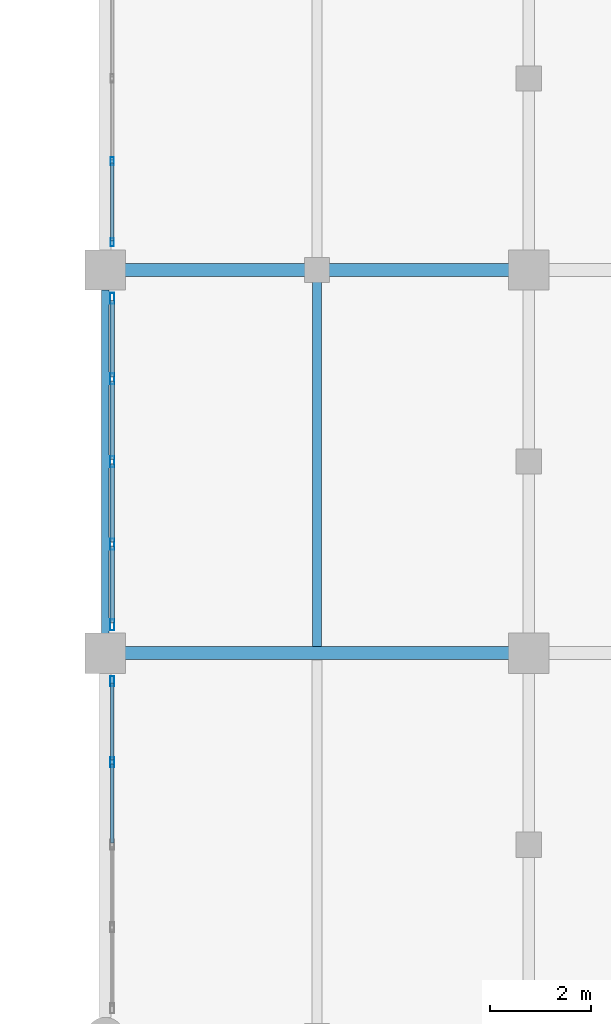
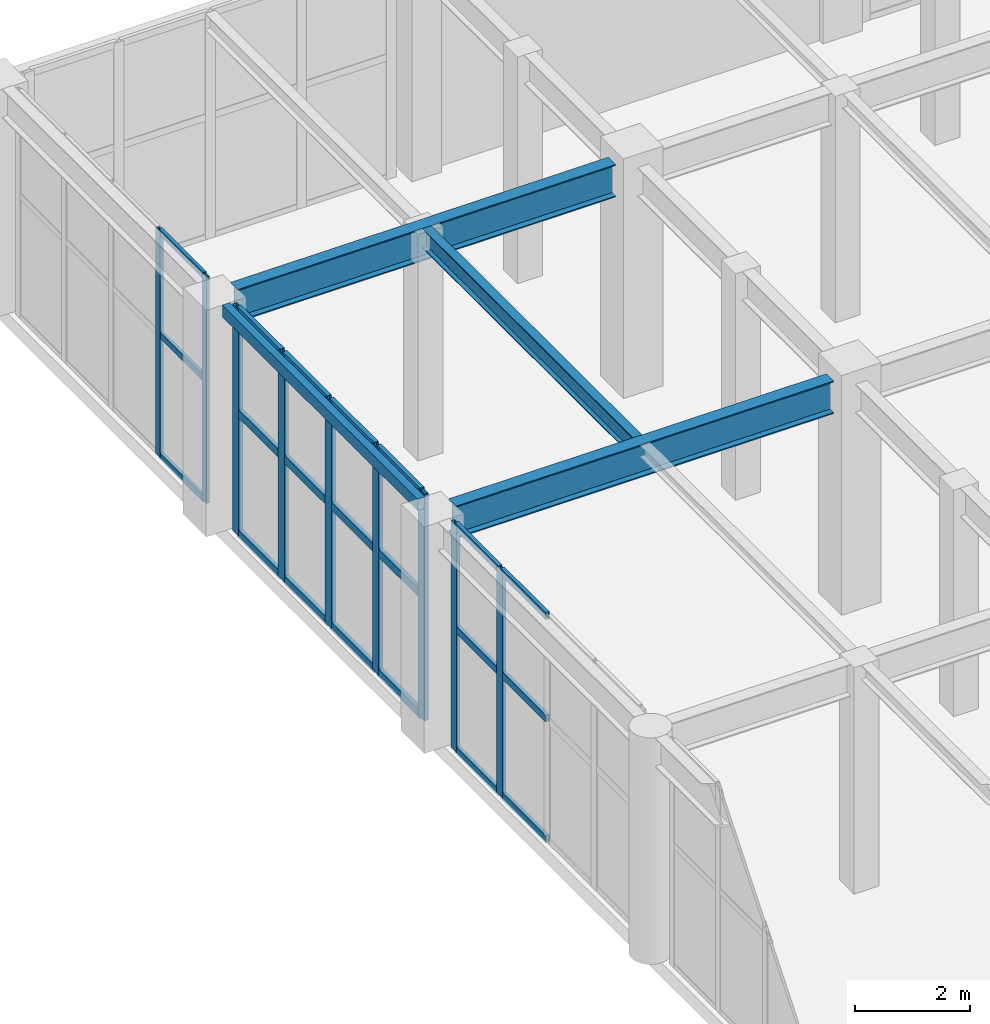
# One storey, part 58 of 128: 30 members, 4 beams, 3 elements without a shape of their own.
"""IFC4 building model written with IfcOpenShell, lengths in metres."""

from ifc_helpers import new_model, si_unit, direction, frame, origin, origin_2d, place, context, subcontext, project, spatial, hollow_rectangle, i_section, extrude, material, layer, layer_set, material_profile, profile_set, type_object, element, aggregate, save


model = new_model("IFC4")

# Units and contexts
model_context = context("Model", 3, precision=1e-05, world=origin(), true_north=direction((0.0, 1.0)))
body_context = subcontext(model_context, "Body", "Model", "MODEL_VIEW")
ifc_project = project(units=[si_unit("LENGTHUNIT", "METRE"), si_unit("AREAUNIT", "SQUARE_METRE"), si_unit("VOLUMEUNIT", "CUBIC_METRE"), si_unit("PLANEANGLEUNIT", "RADIAN"), si_unit("MASSUNIT", "GRAM", prefix="KILO")], contexts=[model_context])

# Site, building, storey
site_placement = place(None, origin())
site = spatial("IfcSite", under=ifc_project, at=site_placement, CompositionType="ELEMENT")
building_placement = place(site_placement, origin())
building = spatial("IfcBuilding", under=site, at=building_placement, Name="Xicomal Pleat Aquarium", CompositionType="ELEMENT")
storey_placement = place(building_placement, frame((0.0, 0.0, 5.39990234375)))
storey = spatial("IfcBuildingStorey", under=building, at=storey_placement, Name="L02", CompositionType="ELEMENT", Elevation=5.39990234375)

# Beams
ifc_material_1 = material(Name="Structural steel A992 Gr 50", Category="steel")
ifc_material_profile_1 = material_profile(ifc_material_1, i_section(OverallWidth=0.180908203125, OverallDepth=0.4169921875, WebThickness=0.010986328125, FlangeThickness=0.018310546875, at=origin_2d()), Name="IR 410x85")
ifc_profile_set_1 = profile_set([ifc_material_profile_1], Name="Structural steel A992 Gr 50")
beam_type_1 = type_object("IfcBeamType", Name="BM-STL-IR410", PredefinedType="JOIST", material=ifc_profile_set_1)
beam_1_placement = place(storey_placement, frame((48.0, 68.531005859375, 4.611572265625), z_axis=(0.0, 1.0, 0.0), x_axis=(-1.0, 0.0, 0.0)))
element("IfcBeam", 1, at=beam_1_placement, inside=storey, type_object=beam_type_1, Name="L02 framing beam FBJ-L02-06-K-1", PredefinedType="JOIST", context=body_context, shape_type="SweptSolid", body=[
    extrude(i_section(OverallWidth=0.180908203125, OverallDepth=0.4169921875, WebThickness=0.010986328125, FlangeThickness=0.018310546875, at=origin_2d()), origin(), (0.0, 0.0, 1.0), 7.337890625),
])
ifc_material_2 = material(Name="Structural steel A992 Gr 50", Category="steel")
ifc_material_profile_2 = material_profile(ifc_material_2, i_section(OverallWidth=0.256103515625, OverallDepth=0.693115234375, WebThickness=0.014404296875, FlangeThickness=0.023681640625, at=origin_2d()), Name="IR 690x170")
ifc_profile_set_2 = profile_set([ifc_material_profile_2], Name="Structural steel A992 Gr 50")
beam_type_2 = type_object("IfcBeamType", Name="BM-STL-IR690", PredefinedType="BEAM", material=ifc_profile_set_2)
for number, where, z_axis, x_axis, name in (
    (2, (44.195068359375, 68.39990234375, 4.4736328125), (1.0, 0.0, 0.0), (0.0, 1.0, 0.0), "L02 framing beam FGX-L02-06-07-K"),
    (3, (44.195068359375, 76.0, 4.4736328125), (1.0, 0.0, 0.0), (0.0, 1.0, 0.0), "L02 framing beam FGX-L02-06-07-L"),
):
    element("IfcBeam", number, at=place(storey_placement, frame(where, z_axis=z_axis, x_axis=x_axis)), inside=storey, type_object=beam_type_2, Name=name, PredefinedType="BEAM", context=body_context, shape_type="SweptSolid", body=[
        extrude(i_section(OverallWidth=0.256103515625, OverallDepth=0.693115234375, WebThickness=0.014404296875, FlangeThickness=0.023681640625, at=origin_2d()), origin(), (0.0, 0.0, 1.0), 7.60986328125),
    ])
ifc_material_3 = material(Name="Structural steel A500 Gr C", Category="steel")
ifc_material_profile_3 = material_profile(ifc_material_3, hollow_rectangle(XDim=0.14990234375, YDim=0.25, WallThickness=0.010009765625, at=origin_2d()), Name="OR 250x150x10")
ifc_profile_set_3 = profile_set([ifc_material_profile_3], Name="Structural steel A500 Gr C")
beam_type_3 = type_object("IfcBeamType", Name="BM-STL-OR250", PredefinedType="SPANDREL", material=ifc_profile_set_3)
beam_2_placement = place(storey_placement, frame((43.800048828125, 68.794921875, 4.695068359375), z_axis=(0.0, 1.0, 0.0), x_axis=(-1.0, 0.0, 0.0)))
element("IfcBeam", 4, at=beam_2_placement, inside=storey, type_object=beam_type_3, Name="L02 framing beam FGY-L02-06-K-L", PredefinedType="SPANDREL", context=body_context, shape_type="SweptSolid", body=[
    extrude(hollow_rectangle(XDim=0.14990234375, YDim=0.25, WallThickness=0.010009765625, at=origin_2d()), origin(), (0.0, 0.0, 1.0), 6.81005859375),
])

# Curtain wall, members
ifc_material_4 = material(Name="Bronze anodized aluminium 6063-T6", Category="aluminium")
ifc_layer_1 = layer(ifc_material_4, 0.159912109375)
ifc_layer_set_1 = layer_set([ifc_layer_1], Name="Bronze anodized aluminium 6063-T6")
curtain_wall_type_1 = type_object("IfcCurtainWallType", Name="CW-SYS-02", PredefinedType="NOTDEFINED", material=ifc_layer_set_1)
curtain_wall_1_placement = place(storey_placement, origin())
curtain_wall_1 = element("IfcCurtainWall", 5, at=curtain_wall_1_placement, inside=storey, type_object=curtain_wall_type_1, Name="L02 unitised curtain wall CW-L02-102", PredefinedType="NOTDEFINED")
ifc_material_5 = material(Name="Bronze anodized aluminium 6063-T6", Category="aluminium")
ifc_material_profile_4 = material_profile(ifc_material_5, hollow_rectangle(XDim=0.06494140625, YDim=0.159912109375, WallThickness=0.00390625, at=origin_2d()), Name="ALU MULL 65x160")
ifc_profile_set_4 = profile_set([ifc_material_profile_4], Name="Bronze anodized aluminium 6063-T6")
member_type_1 = type_object("IfcMemberType", Name="CWM-65x160", PredefinedType="MULLION", material=ifc_profile_set_4)
member_1_placement = place(storey_placement, frame((43.93994140625, 76.552490234375, 0.0), z_axis=(0.0, 0.0, 1.0), x_axis=(-1.0, 0.0, 0.0)))
member_1 = element("IfcMember", 6, at=member_1_placement, type_object=member_type_1, Name="CW-02 mullion 1", PredefinedType="MULLION", context=body_context, shape_type="SweptSolid", body=[
    extrude(hollow_rectangle(XDim=0.06494140625, YDim=0.159912109375, WallThickness=0.00390625, at=origin_2d()), origin(), (0.0, 0.0, 1.0), 4.820068359375),
])
member_2_placement = place(storey_placement, frame((43.93994140625, 78.159912109375, 0.0), z_axis=(0.0, 0.0, 1.0), x_axis=(-1.0, 0.0, 0.0)))
member_2 = element("IfcMember", 7, at=member_2_placement, type_object=member_type_1, Name="CW-02 mullion 2", PredefinedType="MULLION", context=body_context, shape_type="SweptSolid", body=[
    extrude(hollow_rectangle(XDim=0.06494140625, YDim=0.159912109375, WallThickness=0.00390625, at=origin_2d()), origin(), (0.0, 0.0, 1.0), 4.820068359375),
])

ifc_material_6 = material(Name="Bronze anodized aluminium 6063-T6", Category="aluminium")
ifc_layer_2 = layer(ifc_material_6, 0.159912109375)
ifc_layer_set_2 = layer_set([ifc_layer_2], Name="Bronze anodized aluminium 6063-T6")
curtain_wall_type_2 = type_object("IfcCurtainWallType", Name="CW-SYS-07", PredefinedType="NOTDEFINED", material=ifc_layer_set_2)
curtain_wall_2_placement = place(storey_placement, origin())
curtain_wall_2 = element("IfcCurtainWall", 8, at=curtain_wall_2_placement, inside=storey, type_object=curtain_wall_type_2, Name="L02 unitised curtain wall CW-L02-100", PredefinedType="NOTDEFINED")
ifc_material_7 = material(Name="Bronze anodized aluminium 6063-T6", Category="aluminium")
ifc_material_profile_5 = material_profile(ifc_material_7, hollow_rectangle(XDim=0.074951171875, YDim=0.199951171875, WallThickness=0.00439453125, at=origin_2d()), Name="ALU MULL 75x200")
ifc_profile_set_5 = profile_set([ifc_material_profile_5], Name="Bronze anodized aluminium 6063-T6")
member_type_2 = type_object("IfcMemberType", Name="CWM-75x200", PredefinedType="MULLION", material=ifc_profile_set_5)
member_3_placement = place(storey_placement, frame((43.93994140625, 66.239990234375, 0.0), z_axis=(0.0, 0.0, 1.0), x_axis=(-1.0, 0.0, 0.0)))
member_3 = element("IfcMember", 9, at=member_3_placement, type_object=member_type_2, Name="CW-07 mullion 4", PredefinedType="MULLION", context=body_context, shape_type="SweptSolid", body=[
    extrude(hollow_rectangle(XDim=0.074951171875, YDim=0.199951171875, WallThickness=0.00439453125, at=origin_2d()), origin(), (0.0, 0.0, 1.0), 4.820068359375),
])
member_4_placement = place(storey_placement, frame((43.93994140625, 67.842529296875, 0.0), z_axis=(0.0, 0.0, 1.0), x_axis=(-1.0, 0.0, 0.0)))
member_4 = element("IfcMember", 10, at=member_4_placement, type_object=member_type_2, Name="CW-07 mullion 5", PredefinedType="MULLION", context=body_context, shape_type="SweptSolid", body=[
    extrude(hollow_rectangle(XDim=0.074951171875, YDim=0.199951171875, WallThickness=0.00439453125, at=origin_2d()), origin(), (0.0, 0.0, 1.0), 4.820068359375),
])

ifc_material_8 = material(Name="Bronze anodized aluminium 6063-T6", Category="aluminium")
ifc_layer_3 = layer(ifc_material_8, 0.159912109375)
ifc_layer_set_3 = layer_set([ifc_layer_3], Name="Bronze anodized aluminium 6063-T6")
curtain_wall_type_3 = type_object("IfcCurtainWallType", Name="CW-SYS-12", PredefinedType="NOTDEFINED", material=ifc_layer_set_3)
curtain_wall_3_placement = place(storey_placement, origin())
curtain_wall_3 = element("IfcCurtainWall", 11, at=curtain_wall_3_placement, inside=storey, type_object=curtain_wall_type_3, Name="L02 unitised curtain wall CW-L02-101", PredefinedType="NOTDEFINED")
ifc_material_9 = material(Name="Bronze anodized aluminium 6063-T6", Category="aluminium")
ifc_material_profile_6 = material_profile(ifc_material_9, hollow_rectangle(XDim=0.0849609375, YDim=0.219970703125, WallThickness=0.0048828125, at=origin_2d()), Name="ALU MULL 85x220")
ifc_profile_set_6 = profile_set([ifc_material_profile_6], Name="Bronze anodized aluminium 6063-T6")
member_type_3 = type_object("IfcMemberType", Name="CWM-85x220", PredefinedType="MULLION", material=ifc_profile_set_6)
member_5_placement = place(storey_placement, frame((43.93994140625, 68.96240234375, 0.0), z_axis=(0.0, 0.0, 1.0), x_axis=(-1.0, 0.0, 0.0)))
member_5 = element("IfcMember", 12, at=member_5_placement, type_object=member_type_3, Name="CW-12 mullion 1", PredefinedType="MULLION", context=body_context, shape_type="SweptSolid", body=[
    extrude(hollow_rectangle(XDim=0.0849609375, YDim=0.219970703125, WallThickness=0.0048828125, at=origin_2d()), origin(), (0.0, 0.0, 1.0), 4.820068359375),
])
member_6_placement = place(storey_placement, frame((43.93994140625, 70.56005859375, 0.0), z_axis=(0.0, 0.0, 1.0), x_axis=(-1.0, 0.0, 0.0)))
member_6 = element("IfcMember", 13, at=member_6_placement, type_object=member_type_3, Name="CW-12 mullion 2", PredefinedType="MULLION", context=body_context, shape_type="SweptSolid", body=[
    extrude(hollow_rectangle(XDim=0.0849609375, YDim=0.219970703125, WallThickness=0.0048828125, at=origin_2d()), origin(), (0.0, 0.0, 1.0), 4.820068359375),
])
member_7_placement = place(storey_placement, frame((43.93994140625, 72.199951171875, 0.0), z_axis=(0.0, 0.0, 1.0), x_axis=(-1.0, 0.0, 0.0)))
member_7 = element("IfcMember", 14, at=member_7_placement, type_object=member_type_3, Name="CW-12 mullion 3", PredefinedType="MULLION", context=body_context, shape_type="SweptSolid", body=[
    extrude(hollow_rectangle(XDim=0.0849609375, YDim=0.219970703125, WallThickness=0.0048828125, at=origin_2d()), origin(), (0.0, 0.0, 1.0), 4.820068359375),
])
member_8_placement = place(storey_placement, frame((43.93994140625, 73.840087890625, 0.0), z_axis=(0.0, 0.0, 1.0), x_axis=(-1.0, 0.0, 0.0)))
member_8 = element("IfcMember", 15, at=member_8_placement, type_object=member_type_3, Name="CW-12 mullion 4", PredefinedType="MULLION", context=body_context, shape_type="SweptSolid", body=[
    extrude(hollow_rectangle(XDim=0.0849609375, YDim=0.219970703125, WallThickness=0.0048828125, at=origin_2d()), origin(), (0.0, 0.0, 1.0), 4.820068359375),
])
member_9_placement = place(storey_placement, frame((43.93994140625, 75.4375, 0.0), z_axis=(0.0, 0.0, 1.0), x_axis=(-1.0, 0.0, 0.0)))
member_9 = element("IfcMember", 16, at=member_9_placement, type_object=member_type_3, Name="CW-12 mullion 5", PredefinedType="MULLION", context=body_context, shape_type="SweptSolid", body=[
    extrude(hollow_rectangle(XDim=0.0849609375, YDim=0.219970703125, WallThickness=0.0048828125, at=origin_2d()), origin(), (0.0, 0.0, 1.0), 4.820068359375),
])

# Member
ifc_material_10 = material(Name="Bronze anodized aluminium 6063-T6", Category="aluminium")
ifc_material_profile_7 = material_profile(ifc_material_10, hollow_rectangle(XDim=0.06494140625, YDim=0.1298828125, WallThickness=0.00390625, at=origin_2d()), Name="ALU TRAN 65x130")
ifc_profile_set_7 = profile_set([ifc_material_profile_7], Name="Bronze anodized aluminium 6063-T6")
member_type_4 = type_object("IfcMemberType", Name="CWT-65x130", PredefinedType="USERDEFINED", material=ifc_profile_set_7)
member_10_placement = place(storey_placement, frame((43.93994140625, 76.5849609375, 0.03271484375), z_axis=(0.0, 1.0, 0.0), x_axis=(-1.0, 0.0, 0.0)))
member_10 = element("IfcMember", 17, at=member_10_placement, type_object=member_type_4, Name="CW-02 transom 1.1", ObjectType="TRANSOM", PredefinedType="USERDEFINED", context=body_context, shape_type="SweptSolid", body=[
    extrude(hollow_rectangle(XDim=0.06494140625, YDim=0.1298828125, WallThickness=0.00390625, at=origin_2d()), origin(), (0.0, 0.0, 1.0), 1.54248046875),
])

member_11_placement = place(storey_placement, frame((43.93994140625, 76.5849609375, 2.60302734375), z_axis=(0.0, 1.0, 0.0), x_axis=(-1.0, 0.0, 0.0)))
member_11 = element("IfcMember", 18, at=member_11_placement, type_object=member_type_4, Name="CW-02 transom 1.2", ObjectType="TRANSOM", PredefinedType="USERDEFINED", context=body_context, shape_type="SweptSolid", body=[
    extrude(hollow_rectangle(XDim=0.06494140625, YDim=0.1298828125, WallThickness=0.00390625, at=origin_2d()), origin(), (0.0, 0.0, 1.0), 1.54248046875),
])

member_12_placement = place(storey_placement, frame((43.93994140625, 76.5849609375, 4.78759765625), z_axis=(0.0, 1.0, 0.0), x_axis=(-1.0, 0.0, 0.0)))
member_12 = element("IfcMember", 19, at=member_12_placement, type_object=member_type_4, Name="CW-02 transom 1.3", ObjectType="TRANSOM", PredefinedType="USERDEFINED", context=body_context, shape_type="SweptSolid", body=[
    extrude(hollow_rectangle(XDim=0.06494140625, YDim=0.1298828125, WallThickness=0.00390625, at=origin_2d()), origin(), (0.0, 0.0, 1.0), 1.54248046875),
])

aggregate(curtain_wall_1, [member_1, member_2, member_10, member_11, member_12])

ifc_material_11 = material(Name="Bronze anodized aluminium 6063-T6", Category="aluminium")
ifc_material_profile_8 = material_profile(ifc_material_11, hollow_rectangle(XDim=0.074951171875, YDim=0.14990234375, WallThickness=0.00439453125, at=origin_2d()), Name="ALU TRAN 75x150")
ifc_profile_set_8 = profile_set([ifc_material_profile_8], Name="Bronze anodized aluminium 6063-T6")
member_type_5 = type_object("IfcMemberType", Name="CWT-75x150", PredefinedType="USERDEFINED", material=ifc_profile_set_8)
member_13_placement = place(storey_placement, frame((43.93994140625, 64.637451171875, 0.03759765625), z_axis=(0.0, 1.0, 0.0), x_axis=(-1.0, 0.0, 0.0)))
member_13 = element("IfcMember", 20, at=member_13_placement, type_object=member_type_5, Name="CW-07 transom 3.1", ObjectType="TRANSOM", PredefinedType="USERDEFINED", context=body_context, shape_type="SweptSolid", body=[
    extrude(hollow_rectangle(XDim=0.074951171875, YDim=0.14990234375, WallThickness=0.00439453125, at=origin_2d()), origin(), (0.0, 0.0, 1.0), 1.56494140625),
])

member_14_placement = place(storey_placement, frame((43.93994140625, 64.637451171875, 2.60302734375), z_axis=(0.0, 1.0, 0.0), x_axis=(-1.0, 0.0, 0.0)))
member_14 = element("IfcMember", 21, at=member_14_placement, type_object=member_type_5, Name="CW-07 transom 3.2", ObjectType="TRANSOM", PredefinedType="USERDEFINED", context=body_context, shape_type="SweptSolid", body=[
    extrude(hollow_rectangle(XDim=0.074951171875, YDim=0.14990234375, WallThickness=0.00439453125, at=origin_2d()), origin(), (0.0, 0.0, 1.0), 1.56494140625),
])

member_15_placement = place(storey_placement, frame((43.93994140625, 64.637451171875, 4.78271484375), z_axis=(0.0, 1.0, 0.0), x_axis=(-1.0, 0.0, 0.0)))
member_15 = element("IfcMember", 22, at=member_15_placement, type_object=member_type_5, Name="CW-07 transom 3.3", ObjectType="TRANSOM", PredefinedType="USERDEFINED", context=body_context, shape_type="SweptSolid", body=[
    extrude(hollow_rectangle(XDim=0.074951171875, YDim=0.14990234375, WallThickness=0.00439453125, at=origin_2d()), origin(), (0.0, 0.0, 1.0), 1.56494140625),
])

member_16_placement = place(storey_placement, frame((43.93994140625, 66.277587890625, 0.03759765625), z_axis=(0.0, 1.0, 0.0), x_axis=(-1.0, 0.0, 0.0)))
member_16 = element("IfcMember", 23, at=member_16_placement, type_object=member_type_5, Name="CW-07 transom 4.1", ObjectType="TRANSOM", PredefinedType="USERDEFINED", context=body_context, shape_type="SweptSolid", body=[
    extrude(hollow_rectangle(XDim=0.074951171875, YDim=0.14990234375, WallThickness=0.00439453125, at=origin_2d()), origin(), (0.0, 0.0, 1.0), 1.52734375),
])

member_17_placement = place(storey_placement, frame((43.93994140625, 66.277587890625, 2.60302734375), z_axis=(0.0, 1.0, 0.0), x_axis=(-1.0, 0.0, 0.0)))
member_17 = element("IfcMember", 24, at=member_17_placement, type_object=member_type_5, Name="CW-07 transom 4.2", ObjectType="TRANSOM", PredefinedType="USERDEFINED", context=body_context, shape_type="SweptSolid", body=[
    extrude(hollow_rectangle(XDim=0.074951171875, YDim=0.14990234375, WallThickness=0.00439453125, at=origin_2d()), origin(), (0.0, 0.0, 1.0), 1.52734375),
])

member_18_placement = place(storey_placement, frame((43.93994140625, 66.277587890625, 4.78271484375), z_axis=(0.0, 1.0, 0.0), x_axis=(-1.0, 0.0, 0.0)))
member_18 = element("IfcMember", 25, at=member_18_placement, type_object=member_type_5, Name="CW-07 transom 4.3", ObjectType="TRANSOM", PredefinedType="USERDEFINED", context=body_context, shape_type="SweptSolid", body=[
    extrude(hollow_rectangle(XDim=0.074951171875, YDim=0.14990234375, WallThickness=0.00439453125, at=origin_2d()), origin(), (0.0, 0.0, 1.0), 1.52734375),
])

aggregate(curtain_wall_2, [member_3, member_4, member_13, member_14, member_15, member_16, member_17, member_18])

ifc_material_12 = material(Name="Bronze anodized aluminium 6063-T6", Category="aluminium")
ifc_material_profile_9 = material_profile(ifc_material_12, hollow_rectangle(XDim=0.0849609375, YDim=0.169921875, WallThickness=0.0048828125, at=origin_2d()), Name="ALU TRAN 85x170")
ifc_profile_set_9 = profile_set([ifc_material_profile_9], Name="Bronze anodized aluminium 6063-T6")
member_type_6 = type_object("IfcMemberType", Name="CWT-85x170", PredefinedType="USERDEFINED", material=ifc_profile_set_9)
member_19_placement = place(storey_placement, frame((43.93994140625, 69.0048828125, 0.04248046875), z_axis=(0.0, 1.0, 0.0), x_axis=(-1.0, 0.0, 0.0)))
member_19 = element("IfcMember", 26, at=member_19_placement, type_object=member_type_6, Name="CW-12 transom 1.1", ObjectType="TRANSOM", PredefinedType="USERDEFINED", context=body_context, shape_type="SweptSolid", body=[
    extrude(hollow_rectangle(XDim=0.0849609375, YDim=0.169921875, WallThickness=0.0048828125, at=origin_2d()), origin(), (0.0, 0.0, 1.0), 1.5126953125),
])

member_20_placement = place(storey_placement, frame((43.93994140625, 69.0048828125, 2.60302734375), z_axis=(0.0, 1.0, 0.0), x_axis=(-1.0, 0.0, 0.0)))
member_20 = element("IfcMember", 27, at=member_20_placement, type_object=member_type_6, Name="CW-12 transom 1.2", ObjectType="TRANSOM", PredefinedType="USERDEFINED", context=body_context, shape_type="SweptSolid", body=[
    extrude(hollow_rectangle(XDim=0.0849609375, YDim=0.169921875, WallThickness=0.0048828125, at=origin_2d()), origin(), (0.0, 0.0, 1.0), 1.5126953125),
])

member_21_placement = place(storey_placement, frame((43.93994140625, 69.0048828125, 4.777587890625), z_axis=(0.0, 1.0, 0.0), x_axis=(-1.0, 0.0, 0.0)))
member_21 = element("IfcMember", 28, at=member_21_placement, type_object=member_type_6, Name="CW-12 transom 1.3", ObjectType="TRANSOM", PredefinedType="USERDEFINED", context=body_context, shape_type="SweptSolid", body=[
    extrude(hollow_rectangle(XDim=0.0849609375, YDim=0.169921875, WallThickness=0.0048828125, at=origin_2d()), origin(), (0.0, 0.0, 1.0), 1.5126953125),
])

member_22_placement = place(storey_placement, frame((43.93994140625, 70.6025390625, 0.04248046875), z_axis=(0.0, 1.0, 0.0), x_axis=(-1.0, 0.0, 0.0)))
member_22 = element("IfcMember", 29, at=member_22_placement, type_object=member_type_6, Name="CW-12 transom 2.1", ObjectType="TRANSOM", PredefinedType="USERDEFINED", context=body_context, shape_type="SweptSolid", body=[
    extrude(hollow_rectangle(XDim=0.0849609375, YDim=0.169921875, WallThickness=0.0048828125, at=origin_2d()), origin(), (0.0, 0.0, 1.0), 1.554931640625),
])

member_23_placement = place(storey_placement, frame((43.93994140625, 70.6025390625, 2.60302734375), z_axis=(0.0, 1.0, 0.0), x_axis=(-1.0, 0.0, 0.0)))
member_23 = element("IfcMember", 30, at=member_23_placement, type_object=member_type_6, Name="CW-12 transom 2.2", ObjectType="TRANSOM", PredefinedType="USERDEFINED", context=body_context, shape_type="SweptSolid", body=[
    extrude(hollow_rectangle(XDim=0.0849609375, YDim=0.169921875, WallThickness=0.0048828125, at=origin_2d()), origin(), (0.0, 0.0, 1.0), 1.554931640625),
])

member_24_placement = place(storey_placement, frame((43.93994140625, 70.6025390625, 4.777587890625), z_axis=(0.0, 1.0, 0.0), x_axis=(-1.0, 0.0, 0.0)))
member_24 = element("IfcMember", 31, at=member_24_placement, type_object=member_type_6, Name="CW-12 transom 2.3", ObjectType="TRANSOM", PredefinedType="USERDEFINED", context=body_context, shape_type="SweptSolid", body=[
    extrude(hollow_rectangle(XDim=0.0849609375, YDim=0.169921875, WallThickness=0.0048828125, at=origin_2d()), origin(), (0.0, 0.0, 1.0), 1.554931640625),
])

member_25_placement = place(storey_placement, frame((43.93994140625, 72.242431640625, 0.04248046875), z_axis=(0.0, 1.0, 0.0), x_axis=(-1.0, 0.0, 0.0)))
member_25 = element("IfcMember", 32, at=member_25_placement, type_object=member_type_6, Name="CW-12 transom 3.1", ObjectType="TRANSOM", PredefinedType="USERDEFINED", context=body_context, shape_type="SweptSolid", body=[
    extrude(hollow_rectangle(XDim=0.0849609375, YDim=0.169921875, WallThickness=0.0048828125, at=origin_2d()), origin(), (0.0, 0.0, 1.0), 1.55517578125),
])

member_26_placement = place(storey_placement, frame((43.93994140625, 72.242431640625, 2.60302734375), z_axis=(0.0, 1.0, 0.0), x_axis=(-1.0, 0.0, 0.0)))
member_26 = element("IfcMember", 33, at=member_26_placement, type_object=member_type_6, Name="CW-12 transom 3.2", ObjectType="TRANSOM", PredefinedType="USERDEFINED", context=body_context, shape_type="SweptSolid", body=[
    extrude(hollow_rectangle(XDim=0.0849609375, YDim=0.169921875, WallThickness=0.0048828125, at=origin_2d()), origin(), (0.0, 0.0, 1.0), 1.55517578125),
])

member_27_placement = place(storey_placement, frame((43.93994140625, 72.242431640625, 4.777587890625), z_axis=(0.0, 1.0, 0.0), x_axis=(-1.0, 0.0, 0.0)))
member_27 = element("IfcMember", 34, at=member_27_placement, type_object=member_type_6, Name="CW-12 transom 3.3", ObjectType="TRANSOM", PredefinedType="USERDEFINED", context=body_context, shape_type="SweptSolid", body=[
    extrude(hollow_rectangle(XDim=0.0849609375, YDim=0.169921875, WallThickness=0.0048828125, at=origin_2d()), origin(), (0.0, 0.0, 1.0), 1.55517578125),
])

member_28_placement = place(storey_placement, frame((43.93994140625, 73.882568359375, 0.04248046875), z_axis=(0.0, 1.0, 0.0), x_axis=(-1.0, 0.0, 0.0)))
member_28 = element("IfcMember", 35, at=member_28_placement, type_object=member_type_6, Name="CW-12 transom 4.1", ObjectType="TRANSOM", PredefinedType="USERDEFINED", context=body_context, shape_type="SweptSolid", body=[
    extrude(hollow_rectangle(XDim=0.0849609375, YDim=0.169921875, WallThickness=0.0048828125, at=origin_2d()), origin(), (0.0, 0.0, 1.0), 1.512451171875),
])

member_29_placement = place(storey_placement, frame((43.93994140625, 73.882568359375, 2.60302734375), z_axis=(0.0, 1.0, 0.0), x_axis=(-1.0, 0.0, 0.0)))
member_29 = element("IfcMember", 36, at=member_29_placement, type_object=member_type_6, Name="CW-12 transom 4.2", ObjectType="TRANSOM", PredefinedType="USERDEFINED", context=body_context, shape_type="SweptSolid", body=[
    extrude(hollow_rectangle(XDim=0.0849609375, YDim=0.169921875, WallThickness=0.0048828125, at=origin_2d()), origin(), (0.0, 0.0, 1.0), 1.512451171875),
])

member_30_placement = place(storey_placement, frame((43.93994140625, 73.882568359375, 4.777587890625), z_axis=(0.0, 1.0, 0.0), x_axis=(-1.0, 0.0, 0.0)))
member_30 = element("IfcMember", 37, at=member_30_placement, type_object=member_type_6, Name="CW-12 transom 4.3", ObjectType="TRANSOM", PredefinedType="USERDEFINED", context=body_context, shape_type="SweptSolid", body=[
    extrude(hollow_rectangle(XDim=0.0849609375, YDim=0.169921875, WallThickness=0.0048828125, at=origin_2d()), origin(), (0.0, 0.0, 1.0), 1.512451171875),
])

aggregate(curtain_wall_3, [member_5, member_6, member_7, member_8, member_9, member_19, member_20, member_21, member_22, member_23, member_24, member_25, member_26, member_27, member_28, member_29, member_30])

save(model, "model.ifc")
